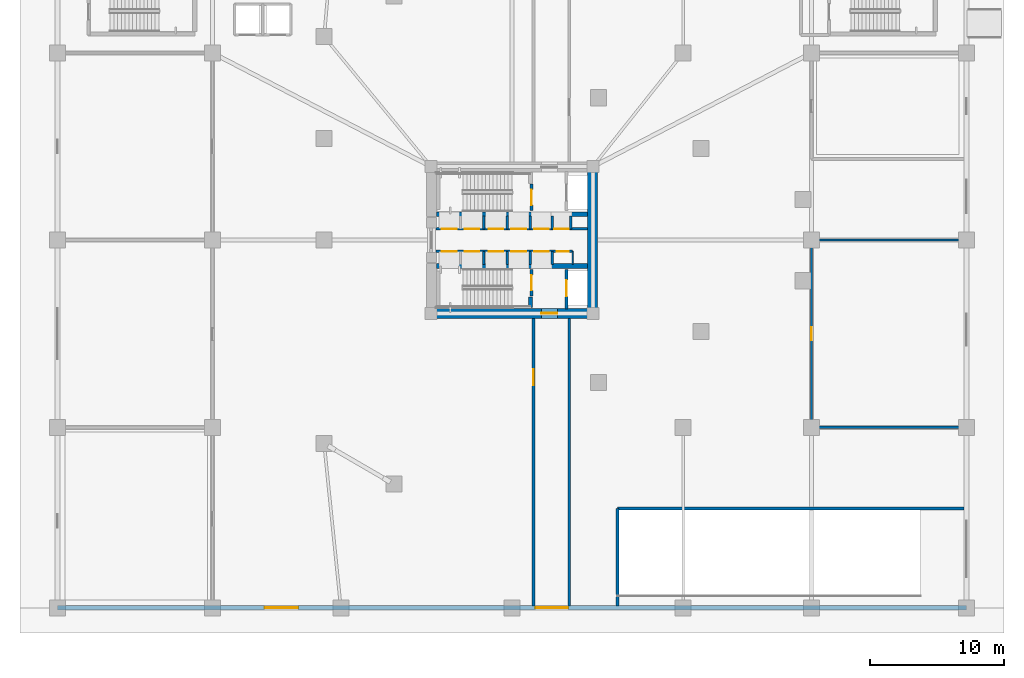
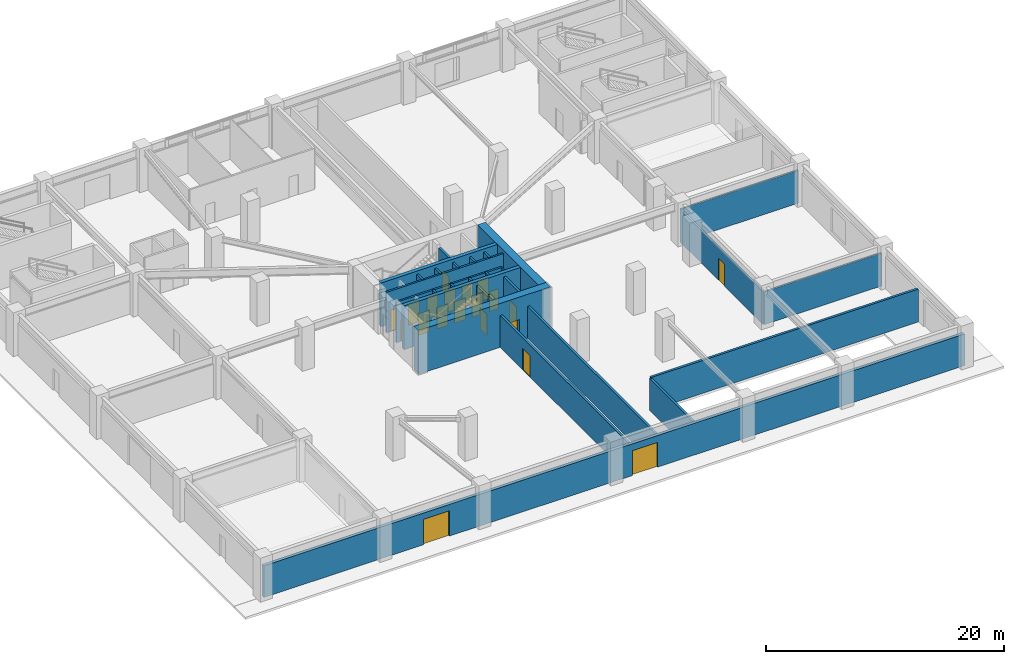
# One storey, part 5 of 18: 28 walls, 20 doors, 20 openings.
"""IFC4 building model written with IfcOpenShell, lengths in metres."""

from ifc_helpers import new_model, si_unit, direction, frame, frame_2d, origin, place, context, subcontext, project, spatial, rectangle, extrude, material, layer, layer_set, type_object, element, fill, save


model = new_model("IFC4")

# Units and contexts
model_context = context("Model", 3, precision=1e-05, world=origin(), true_north=direction((0.0, 1.0)))
body_context = subcontext(model_context, "Body", "Model", "MODEL_VIEW")
ifc_project = project(units=[si_unit("LENGTHUNIT", "METRE"), si_unit("AREAUNIT", "SQUARE_METRE"), si_unit("VOLUMEUNIT", "CUBIC_METRE"), si_unit("PLANEANGLEUNIT", "RADIAN"), si_unit("MASSUNIT", "GRAM", prefix="KILO")], contexts=[model_context])

# Site, building, storey
site_placement = place(None, origin())
site = spatial("IfcSite", under=ifc_project, at=site_placement, CompositionType="ELEMENT")
building_placement = place(site_placement, origin())
building = spatial("IfcBuilding", under=site, at=building_placement, Name="Yunling Apex Tower", CompositionType="ELEMENT")
storey_placement = place(building_placement, origin())
storey = spatial("IfcBuildingStorey", under=building, at=storey_placement, Name="L01", CompositionType="ELEMENT", Elevation=0.0)

# Wall, opening, door
ifc_material_1 = material(Name="Concrete C60", Category="concrete")
ifc_layer_1 = layer(ifc_material_1, 0.75)
ifc_layer_set_1 = layer_set([ifc_layer_1], Name="Concrete C60")
wall_type_1 = type_object("IfcWallType", Name="WL-COR-1", PredefinedType="SHEAR", material=ifc_layer_set_1)
wall_1_placement = place(storey_placement, frame((-6.39990234375, -5.47509765625, 0.0), z_axis=(0.0, 0.0, 1.0), x_axis=(1.0, 0.0, 0.0)))
wall_1 = element("IfcWall", 1, at=wall_1_placement, inside=storey, type_object=wall_type_1, Name="L01 South Core Shear Wall", PredefinedType="SHEAR", context=body_context, shape_type="SweptSolid", body=[
    extrude(rectangle(XDim=12.7998046875, YDim=0.75, at=frame_2d((6.39990234375, 0.0))), origin(), (0.0, 0.0, 1.0), 4.5),
])
opening_1_placement = place(wall_1_placement, frame((8.60009765625, 0.0, 0.0)))
opening_1 = element("IfcOpeningElement", 2, at=opening_1_placement, cuts=wall_1, Name="Opening DR-FFL-1", PredefinedType="OPENING", context=body_context, shape_type="SweptSolid", body=[
    extrude(rectangle(XDim=1.199951171875, YDim=2.199951171875, at=frame_2d((0.60009765625, 1.10009765625))), frame((0.0, 0.385009765625, 0.0), z_axis=(0.0, -1.0, 0.0), x_axis=(1.0, 0.0, 0.0)), (0.0, 0.0, 1.0), 0.77001953125),
])
ifc_material_2 = material(Name="Steel Q355B", Category="steel")
door_type_1 = type_object("IfcDoorType", Name="DR-FFL-1", OperationType="NOTDEFINED", PredefinedType="DOOR", material=ifc_material_2)
door_1_placement = place(opening_1_placement, origin())
door_1 = element("IfcDoor", 3, at=door_1_placement, inside=storey, type_object=door_type_1, Name="L01 South Firefighting Lobby Door", OperationType="SINGLE_SWING_RIGHT", OverallHeight=2.199951171875, OverallWidth=1.199951171875, PredefinedType="DOOR", context=body_context, shape_type="SweptSolid", body=[
    extrude(rectangle(XDim=1.199951171875, YDim=2.199951171875, at=frame_2d((0.60009765625, 1.10009765625))), frame((0.0, 0.02490234375, 0.0), z_axis=(0.0, -1.0, 0.0), x_axis=(1.0, 0.0, 0.0)), (0.0, 0.0, 1.0), 0.050048828125),
])
fill(opening_1, door_1)

# Walls
wall_2_placement = place(storey_placement, frame((6.02490234375, -5.10009765625, 0.0), z_axis=(0.0, 0.0, 1.0), x_axis=(0.0, 1.0, 0.0)))
element("IfcWall", 4, at=wall_2_placement, inside=storey, type_object=wall_type_1, Name="L01 East Core Shear Wall", PredefinedType="SHEAR", context=body_context, shape_type="SweptSolid", body=[
    extrude(rectangle(XDim=10.2001953125, YDim=0.75, at=frame_2d((5.10009765625, 0.0))), origin(), (0.0, 0.0, 1.0), 4.5),
])
ifc_material_3 = material(Name="Concrete C40", Category="concrete")
ifc_layer_2 = layer(ifc_material_3, 0.360107421875)
ifc_layer_set_2 = layer_set([ifc_layer_2], Name="Concrete C40")
wall_type_2 = type_object("IfcWallType", Name="WL-COR-4", PredefinedType="SHEAR", material=ifc_layer_set_2)
for number, where, z_axis, x_axis, name in (
    (5, (-5.64990234375, 1.93994140625, 0.0), (0.0, 0.0, 1.0), (1.0, 0.0, 0.0), "L01 North Internal Core Shear Wall"),
    (6, (-5.64990234375, -1.93994140625, 0.0), (0.0, 0.0, 1.0), (1.0, 0.0, 0.0), "L01 South Internal Core Shear Wall"),
):
    element("IfcWall", number, at=place(storey_placement, frame(where, z_axis=z_axis, x_axis=x_axis)), inside=storey, type_object=wall_type_2, Name=name, PredefinedType="SHEAR", context=body_context, shape_type="SweptSolid", body=[
        extrude(rectangle(XDim=11.2998046875, YDim=0.360107421875, at=frame_2d((5.64990234375, 0.0))), origin(), (0.0, 0.0, 1.0), 4.5),
    ])
ifc_layer_3 = layer(ifc_material_3, 0.280029296875)
ifc_layer_set_3 = layer_set([ifc_layer_3], Name="Concrete C40")
wall_type_3 = type_object("IfcWallType", Name="WL-COR-8", PredefinedType="SHEAR", material=ifc_layer_set_3)
wall_3_placement = place(storey_placement, frame((1.3798828125, -5.050048828125, 0.0), z_axis=(0.0, 0.0, 1.0), x_axis=(0.0, 1.0, 0.0)))
element("IfcWall", 7, at=wall_3_placement, inside=storey, type_object=wall_type_3, Name="L01 ST-2 East Landing Bearing Pier", PredefinedType="SHEAR", context=body_context, shape_type="SweptSolid", body=[
    extrude(rectangle(XDim=0.800048828125, YDim=0.280029296875, at=frame_2d((0.39990234375, 0.0))), origin(), (0.0, 0.0, 1.0), 4.5),
])

# Wall, openings, doors
ifc_material_4 = material(Name="Precast concrete C40", Category="concrete")
ifc_layer_4 = layer(ifc_material_4, 0.320068359375)
ifc_layer_set_4 = layer_set([ifc_layer_4], Name="Precast concrete C40")
wall_type_4 = type_object("IfcWallType", Name="WL-EXT-1", PredefinedType="SOLIDWALL", material=ifc_layer_set_4)
wall_4_placement = place(storey_placement, frame((34.0, -27.5, 0.0), z_axis=(0.0, 0.0, 1.0), x_axis=(-1.0, 0.0, 0.0)))
wall_4 = element("IfcWall", 8, at=wall_4_placement, inside=storey, type_object=wall_type_4, Name="WL-POD-L01-S", PredefinedType="SOLIDWALL", context=body_context, shape_type="SweptSolid", body=[
    extrude(rectangle(XDim=68.0, YDim=0.320068359375, at=frame_2d((34.0, 0.0))), origin(), (0.0, 0.0, 1.0), 3.25),
])
opening_2_placement = place(wall_4_placement, frame((29.800048828125, 0.0, 0.0)))
opening_2 = element("IfcOpeningElement", 9, at=opening_2_placement, cuts=wall_4, Name="Opening DR-EX-2", PredefinedType="OPENING", context=body_context, shape_type="SweptSolid", body=[
    extrude(rectangle(XDim=2.449951171875, YDim=2.550048828125, at=frame_2d((1.22509765625, 1.27490234375))), frame((0.0, 0.169921875, 0.0), z_axis=(0.0, -1.0, 0.0), x_axis=(1.0, 0.0, 0.0)), (0.0, 0.0, 1.0), 0.340087890625),
])
opening_3_placement = place(wall_4_placement, frame((50.0, 0.0, 0.0)))
opening_3 = element("IfcOpeningElement", 10, at=opening_3_placement, cuts=wall_4, Name="Opening DR-EX-1", PredefinedType="OPENING", context=body_context, shape_type="SweptSolid", body=[
    extrude(rectangle(XDim=2.5, YDim=2.60009765625, at=frame_2d((1.25, 1.300048828125))), frame((0.0, 0.169921875, 0.0), z_axis=(0.0, -1.0, 0.0), x_axis=(1.0, 0.0, 0.0)), (0.0, 0.0, 1.0), 0.340087890625),
])
ifc_material_5 = material(Name="Bronze anodised aluminium", Category="aluminium")
door_type_2 = type_object("IfcDoorType", Name="DR-EX-1", OperationType="NOTDEFINED", PredefinedType="DOOR", material=ifc_material_5)
door_2_placement = place(opening_3_placement, origin())
door_2 = element("IfcDoor", 11, at=door_2_placement, inside=storey, type_object=door_type_2, Name="EX-04 South Concourse Exit Door", OperationType="DOUBLE_DOOR_SINGLE_SWING", OverallHeight=2.60009765625, OverallWidth=2.5, PredefinedType="DOOR", context=body_context, shape_type="SweptSolid", body=[
    extrude(rectangle(XDim=2.5, YDim=2.60009765625, at=frame_2d((1.25, 1.300048828125))), frame((0.0, 0.02490234375, 0.0), z_axis=(0.0, -1.0, 0.0), x_axis=(1.0, 0.0, 0.0)), (0.0, 0.0, 1.0), 0.050048828125),
])
fill(opening_3, door_2)
door_type_3 = type_object("IfcDoorType", Name="DR-EX-2", OperationType="NOTDEFINED", PredefinedType="DOOR", material=ifc_material_2)
door_3_placement = place(opening_2_placement, origin())
door_3 = element("IfcDoor", 12, at=door_3_placement, inside=storey, type_object=door_type_3, Name="EX-02 South Protected Stair Exit Door", OperationType="DOUBLE_DOOR_SINGLE_SWING", OverallHeight=2.550048828125, OverallWidth=2.449951171875, PredefinedType="DOOR", context=body_context, shape_type="SweptSolid", body=[
    extrude(rectangle(XDim=2.449951171875, YDim=2.550048828125, at=frame_2d((1.22509765625, 1.27490234375))), frame((0.0, 0.02490234375, 0.0), z_axis=(0.0, -1.0, 0.0), x_axis=(1.0, 0.0, 0.0)), (0.0, 0.0, 1.0), 0.050048828125),
])
fill(opening_2, door_3)

# Wall, opening, door
ifc_material_6 = material(Name="Gypsum board acoustic partition")
ifc_layer_5 = layer(ifc_material_6, 0.159912109375)
ifc_layer_set_5 = layer_set([ifc_layer_5], Name="Gypsum board acoustic partition")
wall_type_5 = type_object("IfcWallType", Name="WL-PRT-1", PredefinedType="PARTITIONING", material=ifc_layer_set_5)
wall_5_placement = place(storey_placement, frame((22.39990234375, -14.0, 0.0), z_axis=(0.0, 0.0, 1.0), x_axis=(0.0, 1.0, 0.0)))
wall_5 = element("IfcWall", 13, at=wall_5_placement, inside=storey, type_object=wall_type_5, Name="WL-L01-CAFW", PredefinedType="PARTITIONING", context=body_context, shape_type="SweptSolid", body=[
    extrude(rectangle(XDim=14.0, YDim=0.159912109375, at=frame_2d((7.0, 0.0))), origin(), (0.0, 0.0, 1.0), 3.375),
])
opening_4_placement = place(wall_5_placement, frame((6.5, 0.0, 0.0)))
opening_4 = element("IfcOpeningElement", 14, at=opening_4_placement, cuts=wall_5, Name="Opening DR-OFF-1", PredefinedType="OPENING", context=body_context, shape_type="SweptSolid", body=[
    extrude(rectangle(XDim=1.0, YDim=2.25, at=frame_2d((0.5, 1.125))), frame((0.0, 0.08984375, 0.0), z_axis=(0.0, -1.0, 0.0), x_axis=(1.0, 0.0, 0.0)), (0.0, 0.0, 1.0), 0.179931640625),
])
door_type_4 = type_object("IfcDoorType", Name="DR-OFF-1", OperationType="NOTDEFINED", PredefinedType="DOOR", material=ifc_material_5)
door_4_placement = place(opening_4_placement, origin())
door_4 = element("IfcDoor", 15, at=door_4_placement, inside=storey, type_object=door_type_4, Name="L01 Podium Cafe Door", OperationType="SINGLE_SWING_LEFT", OverallHeight=2.25, OverallWidth=1.0, PredefinedType="DOOR", context=body_context, shape_type="SweptSolid", body=[
    extrude(rectangle(XDim=1.0, YDim=2.25, at=frame_2d((0.5, 1.125))), frame((0.0, 0.02490234375, 0.0), z_axis=(0.0, -1.0, 0.0), x_axis=(1.0, 0.0, 0.0)), (0.0, 0.0, 1.0), 0.050048828125),
])
fill(opening_4, door_4)

# Walls
for number, where, z_axis, x_axis, name in (
    (16, (22.39990234375, 0.0, 0.0), (0.0, 0.0, 1.0), (1.0, 0.0, 0.0), "WL-L01-CAFN"),
    (17, (22.39990234375, -14.0, 0.0), (0.0, 0.0, 1.0), (1.0, 0.0, 0.0), "WL-L01-CAFS"),
):
    element("IfcWall", number, at=place(storey_placement, frame(where, z_axis=z_axis, x_axis=x_axis)), inside=storey, type_object=wall_type_5, Name=name, PredefinedType="PARTITIONING", context=body_context, shape_type="SweptSolid", body=[
        extrude(rectangle(XDim=11.400146484375, YDim=0.159912109375, at=frame_2d((5.7001953125, 0.0))), origin(), (0.0, 0.0, 1.0), 3.375),
    ])
ifc_layer_6 = layer(ifc_material_6, 0.10009765625)
ifc_layer_set_6 = layer_set([ifc_layer_6], Name="Gypsum board acoustic partition")
wall_type_6 = type_object("IfcWallType", Name="WL-PRT-4", PredefinedType="PARTITIONING", material=ifc_layer_set_6)
wall_6_placement = place(storey_placement, frame((4.5400390625, -1.820068359375, 0.0), z_axis=(0.0, 0.0, 1.0), x_axis=(0.0, 1.0, 0.0)))
element("IfcWall", 18, at=wall_6_placement, inside=storey, type_object=wall_type_6, Name="WL-KASE-E-L01", PredefinedType="PARTITIONING", context=body_context, shape_type="SweptSolid", body=[
    extrude(rectangle(XDim=0.97998046875, YDim=0.10009765625, at=frame_2d((0.489990234375, 0.0))), origin(), (0.0, 0.0, 1.0), 4.169921875),
])

# Wall, opening, door
ifc_material_7 = material(Name="Autoclaved aerated concrete masonry", Category="masonry")
ifc_layer_7 = layer(ifc_material_7, 0.219970703125)
ifc_layer_set_7 = layer_set([ifc_layer_7], Name="Autoclaved aerated concrete masonry")
wall_type_7 = type_object("IfcWallType", Name="WL-SHF-1", PredefinedType="PLUMBINGWALL", material=ifc_layer_set_7)
wall_7_placement = place(storey_placement, frame((1.449951171875, 2.199951171875, 0.0), z_axis=(0.0, 0.0, 1.0), x_axis=(0.0, 1.0, 0.0)))
wall_7 = element("IfcWall", 19, at=wall_7_placement, inside=storey, type_object=wall_type_7, Name="WL-ST1-E-L01", PredefinedType="PLUMBINGWALL", context=body_context, shape_type="SweptSolid", body=[
    extrude(rectangle(XDim=1.97998046875, YDim=0.219970703125, at=frame_2d((0.989990234375, 0.0))), origin(), (0.0, 0.0, 1.0), 4.169921875),
])
opening_5_placement = place(wall_7_placement, frame((0.419921875, 0.0, 0.0)))
opening_5 = element("IfcOpeningElement", 20, at=opening_5_placement, cuts=wall_7, Name="Opening DR-ST-1", PredefinedType="OPENING", context=body_context, shape_type="SweptSolid", body=[
    extrude(rectangle(XDim=1.14990234375, YDim=2.14990234375, at=frame_2d((0.574951171875, 1.074951171875))), frame((0.0, 0.1201171875, 0.0), z_axis=(0.0, -1.0, 0.0), x_axis=(1.0, 0.0, 0.0)), (0.0, 0.0, 1.0), 0.239990234375),
])
door_type_5 = type_object("IfcDoorType", Name="DR-ST-1", OperationType="NOTDEFINED", PredefinedType="DOOR", material=ifc_material_2)
door_5_placement = place(opening_5_placement, origin())
door_5 = element("IfcDoor", 21, at=door_5_placement, inside=storey, type_object=door_type_5, Name="L01 Stair ST-1 Fire Door", OperationType="SINGLE_SWING_RIGHT", OverallHeight=2.14990234375, OverallWidth=1.14990234375, PredefinedType="DOOR", context=body_context, shape_type="SweptSolid", body=[
    extrude(rectangle(XDim=1.14990234375, YDim=2.14990234375, at=frame_2d((0.574951171875, 1.074951171875))), frame((0.0, 0.02490234375, 0.0), z_axis=(0.0, -1.0, 0.0), x_axis=(1.0, 0.0, 0.0)), (0.0, 0.0, 1.0), 0.050048828125),
])
fill(opening_5, door_5)

wall_8_placement = place(storey_placement, frame((1.449951171875, -4.179931640625, 0.0), z_axis=(0.0, 0.0, 1.0), x_axis=(0.0, 1.0, 0.0)))
wall_8 = element("IfcWall", 22, at=wall_8_placement, inside=storey, type_object=wall_type_7, Name="WL-ST2-E-L01", PredefinedType="PLUMBINGWALL", context=body_context, shape_type="SweptSolid", body=[
    extrude(rectangle(XDim=1.97998046875, YDim=0.219970703125, at=frame_2d((0.989990234375, 0.0))), origin(), (0.0, 0.0, 1.0), 4.169921875),
])
opening_6_placement = place(wall_8_placement, frame((0.419921875, 0.0, 0.0)))
opening_6 = element("IfcOpeningElement", 23, at=opening_6_placement, cuts=wall_8, Name="Opening DR-ST-1", PredefinedType="OPENING", context=body_context, shape_type="SweptSolid", body=[
    extrude(rectangle(XDim=1.14990234375, YDim=2.14990234375, at=frame_2d((0.574951171875, 1.074951171875))), frame((0.0, 0.1201171875, 0.0), z_axis=(0.0, -1.0, 0.0), x_axis=(1.0, 0.0, 0.0)), (0.0, 0.0, 1.0), 0.239990234375),
])
door_6_placement = place(opening_6_placement, origin())
door_6 = element("IfcDoor", 24, at=door_6_placement, inside=storey, type_object=door_type_5, Name="L01 Stair ST-2 Fire Door", OperationType="SINGLE_SWING_LEFT", OverallHeight=2.14990234375, OverallWidth=1.14990234375, PredefinedType="DOOR", context=body_context, shape_type="SweptSolid", body=[
    extrude(rectangle(XDim=1.14990234375, YDim=2.14990234375, at=frame_2d((0.574951171875, 1.074951171875))), frame((0.0, 0.02490234375, 0.0), z_axis=(0.0, -1.0, 0.0), x_axis=(1.0, 0.0, 0.0)), (0.0, 0.0, 1.0), 0.050048828125),
])
fill(opening_6, door_6)

wall_9_placement = place(storey_placement, frame((4.080078125, -5.14990234375, 0.0), z_axis=(0.0, 0.0, 1.0), x_axis=(0.0, 1.0, 0.0)))
wall_9 = element("IfcWall", 25, at=wall_9_placement, inside=storey, type_object=wall_type_7, Name="WL-FFL2-W-L01", PredefinedType="PLUMBINGWALL", context=body_context, shape_type="SweptSolid", body=[
    extrude(rectangle(XDim=2.949951171875, YDim=0.219970703125, at=frame_2d((1.47509765625, 0.0))), origin(), (0.0, 0.0, 1.0), 4.169921875),
])
opening_7_placement = place(wall_9_placement, frame((0.949951171875, 0.0, 0.0)))
opening_7 = element("IfcOpeningElement", 26, at=opening_7_placement, cuts=wall_9, Name="Opening LD-FFL-1", PredefinedType="OPENING", context=body_context, shape_type="SweptSolid", body=[
    extrude(rectangle(XDim=1.199951171875, YDim=2.25, at=frame_2d((0.60009765625, 1.125))), frame((0.0, 0.1201171875, 0.0), z_axis=(0.0, -1.0, 0.0), x_axis=(1.0, 0.0, 0.0)), (0.0, 0.0, 1.0), 0.239990234375),
])
door_type_6 = type_object("IfcDoorType", Name="LD-FFL-1", OperationType="DOUBLE_DOOR_SLIDING", PredefinedType="DOOR", material=ifc_material_2)
door_7_placement = place(opening_7_placement, origin())
door_7 = element("IfcDoor", 27, at=door_7_placement, inside=storey, type_object=door_type_6, Name="L01 Lift FFL-2 Landing Door", OperationType="DOUBLE_DOOR_SLIDING", OverallHeight=2.25, OverallWidth=1.199951171875, PredefinedType="DOOR", context=body_context, shape_type="SweptSolid", body=[
    extrude(rectangle(XDim=1.199951171875, YDim=2.25, at=frame_2d((0.60009765625, 1.125))), frame((0.0, 0.02490234375, 0.0), z_axis=(0.0, -1.0, 0.0), x_axis=(1.0, 0.0, 0.0)), (0.0, 0.0, 1.0), 0.050048828125),
])
fill(opening_7, door_7)

wall_10_placement = place(storey_placement, frame((1.6201171875, -27.35009765625, 0.0), z_axis=(0.0, 0.0, 1.0), x_axis=(0.0, 1.0, 0.0)))
wall_10 = element("IfcWall", 28, at=wall_10_placement, inside=storey, type_object=wall_type_7, Name="WL-EXPS-W", PredefinedType="PLUMBINGWALL", context=body_context, shape_type="SweptSolid", body=[
    extrude(rectangle(XDim=21.5, YDim=0.219970703125, at=frame_2d((10.75, 0.0))), origin(), (0.0, 0.0, 1.0), 3.27490234375),
])
opening_8_placement = place(wall_10_placement, frame((16.5, 0.0, 0.0)))
opening_8 = element("IfcOpeningElement", 29, at=opening_8_placement, cuts=wall_10, Name="Opening DR-FFL-1", PredefinedType="OPENING", context=body_context, shape_type="SweptSolid", body=[
    extrude(rectangle(XDim=1.199951171875, YDim=2.199951171875, at=frame_2d((0.60009765625, 1.10009765625))), frame((0.0, 0.1201171875, 0.0), z_axis=(0.0, -1.0, 0.0), x_axis=(1.0, 0.0, 0.0)), (0.0, 0.0, 1.0), 0.239990234375),
])
door_8_placement = place(opening_8_placement, origin())
door_8 = element("IfcDoor", 30, at=door_8_placement, inside=storey, type_object=door_type_1, Name="L01 South Hall to Exit Passage Fire Door", OperationType="SINGLE_SWING_LEFT", OverallHeight=2.199951171875, OverallWidth=1.199951171875, PredefinedType="DOOR", context=body_context, shape_type="SweptSolid", body=[
    extrude(rectangle(XDim=1.199951171875, YDim=2.199951171875, at=frame_2d((0.60009765625, 1.10009765625))), frame((0.0, 0.02490234375, 0.0), z_axis=(0.0, -1.0, 0.0), x_axis=(1.0, 0.0, 0.0)), (0.0, 0.0, 1.0), 0.050048828125),
])
fill(opening_8, door_8)

# Walls
wall_11_placement = place(storey_placement, frame((4.280029296875, -27.35009765625, 0.0), z_axis=(0.0, 0.0, 1.0), x_axis=(0.0, 1.0, 0.0)))
element("IfcWall", 31, at=wall_11_placement, inside=storey, type_object=wall_type_7, Name="WL-EXPS-E", PredefinedType="PLUMBINGWALL", context=body_context, shape_type="SweptSolid", body=[
    extrude(rectangle(XDim=21.5, YDim=0.219970703125, at=frame_2d((10.75, 0.0))), origin(), (0.0, 0.0, 1.0), 3.27490234375),
])
wall_12_placement = place(storey_placement, frame((7.8798828125, -20.080078125, 0.0), z_axis=(0.0, 0.0, 1.0), x_axis=(1.0, 0.0, 0.0)))
element("IfcWall", 32, at=wall_12_placement, inside=storey, type_object=wall_type_7, Name="WL-L01-RMPN", PredefinedType="PLUMBINGWALL", context=body_context, shape_type="SweptSolid", body=[
    extrude(rectangle(XDim=25.920166015625, YDim=0.219970703125, at=frame_2d((12.9599609375, 0.0))), origin(), (0.0, 0.0, 1.0), 3.375),
])
wall_13_placement = place(storey_placement, frame((7.8798828125, -27.35009765625, 0.0), z_axis=(0.0, 0.0, 1.0), x_axis=(0.0, 1.0, 0.0)))
element("IfcWall", 33, at=wall_13_placement, inside=storey, type_object=wall_type_7, Name="WL-L01-RMPW", PredefinedType="PLUMBINGWALL", context=body_context, shape_type="SweptSolid", body=[
    extrude(rectangle(XDim=7.27001953125, YDim=0.219970703125, at=frame_2d((3.635009765625, 0.0))), origin(), (0.0, 0.0, 1.0), 3.27490234375),
])
ifc_layer_8 = layer(ifc_material_7, 0.179931640625)
ifc_layer_set_8 = layer_set([ifc_layer_8], Name="Autoclaved aerated concrete masonry")
wall_type_8 = type_object("IfcWallType", Name="WL-SHF-2", PredefinedType="PLUMBINGWALL", material=ifc_layer_set_8)
for number, where, z_axis, x_axis, name in (
    (34, (-2.10009765625, 0.840087890625, 0.0), (0.0, 0.0, 1.0), (0.0, 1.0, 0.0), "WL-BNK-LM-N-L01"),
    (35, (-2.10009765625, -1.820068359375, 0.0), (0.0, 0.0, 1.0), (0.0, 1.0, 0.0), "WL-BNK-LM-S-L01"),
    (36, (-0.35009765625, 0.840087890625, 0.0), (0.0, 0.0, 1.0), (0.0, 1.0, 0.0), "WL-DIV-M12-L01"),
    (37, (-0.35009765625, -1.820068359375, 0.0), (0.0, 0.0, 1.0), (0.0, 1.0, 0.0), "WL-DIV-M34-L01"),
    (38, (1.3798828125, 0.840087890625, 0.0), (0.0, 0.0, 1.0), (0.0, 1.0, 0.0), "WL-BNK-MH-N-L01"),
    (39, (1.3798828125, -1.820068359375, 0.0), (0.0, 0.0, 1.0), (0.0, 1.0, 0.0), "WL-BNK-MH-S-L01"),
    (40, (3.02001953125, 0.840087890625, 0.0), (0.0, 0.0, 1.0), (0.0, 1.0, 0.0), "WL-DIV-H13-L01"),
    (41, (4.3798828125, 0.840087890625, 0.0), (0.0, 0.0, 1.0), (0.0, 1.0, 0.0), "WL-END-H3E-L01"),
    (42, (3.02001953125, -1.820068359375, 0.0), (0.0, 0.0, 1.0), (0.0, 1.0, 0.0), "WL-END-H2E-L01"),
):
    element("IfcWall", number, at=place(storey_placement, frame(where, z_axis=z_axis, x_axis=x_axis)), inside=storey, type_object=wall_type_8, Name=name, PredefinedType="PLUMBINGWALL", context=body_context, shape_type="SweptSolid", body=[
        extrude(rectangle(XDim=0.97998046875, YDim=0.179931640625, at=frame_2d((0.489990234375, 0.0))), origin(), (0.0, 0.0, 1.0), 4.169921875),
    ])

# Wall, openings, doors
wall_14_placement = place(storey_placement, frame((-5.679931640625, 0.840087890625, 0.0), z_axis=(0.0, 0.0, 1.0), x_axis=(1.0, 0.0, 0.0)))
wall_14 = element("IfcWall", 43, at=wall_14_placement, inside=storey, type_object=wall_type_8, Name="WL-LOB-N-L01", PredefinedType="PLUMBINGWALL", context=body_context, shape_type="SweptSolid", body=[
    extrude(rectangle(XDim=11.329833984375, YDim=0.179931640625, at=frame_2d((5.6650390625, 0.0))), origin(), (0.0, 0.0, 1.0), 4.169921875),
])
opening_9_placement = place(wall_14_placement, frame((0.429931640625, 0.0, 0.0)))
opening_9 = element("IfcOpeningElement", 44, at=opening_9_placement, cuts=wall_14, Name="Opening LD-PAS-1", PredefinedType="OPENING", context=body_context, shape_type="SweptSolid", body=[
    extrude(rectangle(XDim=1.10009765625, YDim=2.199951171875, at=frame_2d((0.550048828125, 1.10009765625))), frame((0.0, 0.10009765625, 0.0), z_axis=(0.0, -1.0, 0.0), x_axis=(1.0, 0.0, 0.0)), (0.0, 0.0, 1.0), 0.199951171875),
])
opening_10_placement = place(wall_14_placement, frame((2.1298828125, 0.0, 0.0)))
opening_10 = element("IfcOpeningElement", 45, at=opening_10_placement, cuts=wall_14, Name="Opening LD-PAS-1", PredefinedType="OPENING", context=body_context, shape_type="SweptSolid", body=[
    extrude(rectangle(XDim=1.10009765625, YDim=2.199951171875, at=frame_2d((0.550048828125, 1.10009765625))), frame((0.0, 0.10009765625, 0.0), z_axis=(0.0, -1.0, 0.0), x_axis=(1.0, 0.0, 0.0)), (0.0, 0.0, 1.0), 0.199951171875),
])
opening_11_placement = place(wall_14_placement, frame((3.929931640625, 0.0, 0.0)))
opening_11 = element("IfcOpeningElement", 46, at=opening_11_placement, cuts=wall_14, Name="Opening LD-PAS-1", PredefinedType="OPENING", context=body_context, shape_type="SweptSolid", body=[
    extrude(rectangle(XDim=1.10009765625, YDim=2.199951171875, at=frame_2d((0.550048828125, 1.10009765625))), frame((0.0, 0.10009765625, 0.0), z_axis=(0.0, -1.0, 0.0), x_axis=(1.0, 0.0, 0.0)), (0.0, 0.0, 1.0), 0.199951171875),
])
opening_12_placement = place(wall_14_placement, frame((5.6298828125, 0.0, 0.0)))
opening_12 = element("IfcOpeningElement", 47, at=opening_12_placement, cuts=wall_14, Name="Opening LD-PAS-1", PredefinedType="OPENING", context=body_context, shape_type="SweptSolid", body=[
    extrude(rectangle(XDim=1.10009765625, YDim=2.199951171875, at=frame_2d((0.550048828125, 1.10009765625))), frame((0.0, 0.10009765625, 0.0), z_axis=(0.0, -1.0, 0.0), x_axis=(1.0, 0.0, 0.0)), (0.0, 0.0, 1.0), 0.199951171875),
])
opening_13_placement = place(wall_14_placement, frame((7.330078125, 0.0, 0.0)))
opening_13 = element("IfcOpeningElement", 48, at=opening_13_placement, cuts=wall_14, Name="Opening LD-PAS-1", PredefinedType="OPENING", context=body_context, shape_type="SweptSolid", body=[
    extrude(rectangle(XDim=1.10009765625, YDim=2.199951171875, at=frame_2d((0.550048828125, 1.10009765625))), frame((0.0, 0.10009765625, 0.0), z_axis=(0.0, -1.0, 0.0), x_axis=(1.0, 0.0, 0.0)), (0.0, 0.0, 1.0), 0.199951171875),
])
opening_14_placement = place(wall_14_placement, frame((8.830078125, 0.0, 0.0)))
opening_14 = element("IfcOpeningElement", 49, at=opening_14_placement, cuts=wall_14, Name="Opening LD-PAS-1", PredefinedType="OPENING", context=body_context, shape_type="SweptSolid", body=[
    extrude(rectangle(XDim=1.10009765625, YDim=2.199951171875, at=frame_2d((0.550048828125, 1.10009765625))), frame((0.0, 0.10009765625, 0.0), z_axis=(0.0, -1.0, 0.0), x_axis=(1.0, 0.0, 0.0)), (0.0, 0.0, 1.0), 0.199951171875),
])
ifc_material_8 = material(Name="Silver anodised aluminium", Category="aluminium")
door_type_7 = type_object("IfcDoorType", Name="LD-PAS-1", OperationType="DOUBLE_DOOR_SLIDING", PredefinedType="DOOR", material=ifc_material_8)
door_9_placement = place(opening_9_placement, origin())
door_9 = element("IfcDoor", 50, at=door_9_placement, inside=storey, type_object=door_type_7, Name="L01 Lift PL-L1 Landing Door", OperationType="DOUBLE_DOOR_SLIDING", OverallHeight=2.199951171875, OverallWidth=1.10009765625, PredefinedType="DOOR", context=body_context, shape_type="SweptSolid", body=[
    extrude(rectangle(XDim=1.10009765625, YDim=2.199951171875, at=frame_2d((0.550048828125, 1.10009765625))), frame((0.0, 0.02490234375, 0.0), z_axis=(0.0, -1.0, 0.0), x_axis=(1.0, 0.0, 0.0)), (0.0, 0.0, 1.0), 0.050048828125),
])
fill(opening_9, door_9)
door_10_placement = place(opening_10_placement, origin())
door_10 = element("IfcDoor", 51, at=door_10_placement, inside=storey, type_object=door_type_7, Name="L01 Lift PL-L2 Landing Door", OperationType="DOUBLE_DOOR_SLIDING", OverallHeight=2.199951171875, OverallWidth=1.10009765625, PredefinedType="DOOR", context=body_context, shape_type="SweptSolid", body=[
    extrude(rectangle(XDim=1.10009765625, YDim=2.199951171875, at=frame_2d((0.550048828125, 1.10009765625))), frame((0.0, 0.02490234375, 0.0), z_axis=(0.0, -1.0, 0.0), x_axis=(1.0, 0.0, 0.0)), (0.0, 0.0, 1.0), 0.050048828125),
])
fill(opening_10, door_10)
door_11_placement = place(opening_11_placement, origin())
door_11 = element("IfcDoor", 52, at=door_11_placement, inside=storey, type_object=door_type_7, Name="L01 Lift PL-M1 Landing Door", OperationType="DOUBLE_DOOR_SLIDING", OverallHeight=2.199951171875, OverallWidth=1.10009765625, PredefinedType="DOOR", context=body_context, shape_type="SweptSolid", body=[
    extrude(rectangle(XDim=1.10009765625, YDim=2.199951171875, at=frame_2d((0.550048828125, 1.10009765625))), frame((0.0, 0.02490234375, 0.0), z_axis=(0.0, -1.0, 0.0), x_axis=(1.0, 0.0, 0.0)), (0.0, 0.0, 1.0), 0.050048828125),
])
fill(opening_11, door_11)
door_12_placement = place(opening_12_placement, origin())
door_12 = element("IfcDoor", 53, at=door_12_placement, inside=storey, type_object=door_type_7, Name="L01 Lift PL-M2 Landing Door", OperationType="DOUBLE_DOOR_SLIDING", OverallHeight=2.199951171875, OverallWidth=1.10009765625, PredefinedType="DOOR", context=body_context, shape_type="SweptSolid", body=[
    extrude(rectangle(XDim=1.10009765625, YDim=2.199951171875, at=frame_2d((0.550048828125, 1.10009765625))), frame((0.0, 0.02490234375, 0.0), z_axis=(0.0, -1.0, 0.0), x_axis=(1.0, 0.0, 0.0)), (0.0, 0.0, 1.0), 0.050048828125),
])
fill(opening_12, door_12)
door_13_placement = place(opening_13_placement, origin())
door_13 = element("IfcDoor", 54, at=door_13_placement, inside=storey, type_object=door_type_7, Name="L01 Lift PL-H1 Landing Door", OperationType="DOUBLE_DOOR_SLIDING", OverallHeight=2.199951171875, OverallWidth=1.10009765625, PredefinedType="DOOR", context=body_context, shape_type="SweptSolid", body=[
    extrude(rectangle(XDim=1.10009765625, YDim=2.199951171875, at=frame_2d((0.550048828125, 1.10009765625))), frame((0.0, 0.02490234375, 0.0), z_axis=(0.0, -1.0, 0.0), x_axis=(1.0, 0.0, 0.0)), (0.0, 0.0, 1.0), 0.050048828125),
])
fill(opening_13, door_13)
door_14_placement = place(opening_14_placement, origin())
door_14 = element("IfcDoor", 55, at=door_14_placement, inside=storey, type_object=door_type_7, Name="L01 Lift PL-H3 Landing Door", OperationType="DOUBLE_DOOR_SLIDING", OverallHeight=2.199951171875, OverallWidth=1.10009765625, PredefinedType="DOOR", context=body_context, shape_type="SweptSolid", body=[
    extrude(rectangle(XDim=1.10009765625, YDim=2.199951171875, at=frame_2d((0.550048828125, 1.10009765625))), frame((0.0, 0.02490234375, 0.0), z_axis=(0.0, -1.0, 0.0), x_axis=(1.0, 0.0, 0.0)), (0.0, 0.0, 1.0), 0.050048828125),
])
fill(opening_14, door_14)

wall_15_placement = place(storey_placement, frame((-5.679931640625, -0.840087890625, 0.0), z_axis=(0.0, 0.0, 1.0), x_axis=(1.0, 0.0, 0.0)))
wall_15 = element("IfcWall", 56, at=wall_15_placement, inside=storey, type_object=wall_type_8, Name="WL-LOB-S-L01", PredefinedType="PLUMBINGWALL", context=body_context, shape_type="SweptSolid", body=[
    extrude(rectangle(XDim=10.219970703125, YDim=0.179931640625, at=frame_2d((5.10986328125, 0.0))), origin(), (0.0, 0.0, 1.0), 4.169921875),
])
opening_15_placement = place(wall_15_placement, frame((0.429931640625, 0.0, 0.0)))
opening_15 = element("IfcOpeningElement", 57, at=opening_15_placement, cuts=wall_15, Name="Opening LD-PAS-1", PredefinedType="OPENING", context=body_context, shape_type="SweptSolid", body=[
    extrude(rectangle(XDim=1.10009765625, YDim=2.199951171875, at=frame_2d((0.550048828125, 1.10009765625))), frame((0.0, 0.10009765625, 0.0), z_axis=(0.0, -1.0, 0.0), x_axis=(1.0, 0.0, 0.0)), (0.0, 0.0, 1.0), 0.199951171875),
])
opening_16_placement = place(wall_15_placement, frame((2.1298828125, 0.0, 0.0)))
opening_16 = element("IfcOpeningElement", 58, at=opening_16_placement, cuts=wall_15, Name="Opening LD-PAS-1", PredefinedType="OPENING", context=body_context, shape_type="SweptSolid", body=[
    extrude(rectangle(XDim=1.10009765625, YDim=2.199951171875, at=frame_2d((0.550048828125, 1.10009765625))), frame((0.0, 0.10009765625, 0.0), z_axis=(0.0, -1.0, 0.0), x_axis=(1.0, 0.0, 0.0)), (0.0, 0.0, 1.0), 0.199951171875),
])
opening_17_placement = place(wall_15_placement, frame((3.929931640625, 0.0, 0.0)))
opening_17 = element("IfcOpeningElement", 59, at=opening_17_placement, cuts=wall_15, Name="Opening LD-PAS-1", PredefinedType="OPENING", context=body_context, shape_type="SweptSolid", body=[
    extrude(rectangle(XDim=1.10009765625, YDim=2.199951171875, at=frame_2d((0.550048828125, 1.10009765625))), frame((0.0, 0.10009765625, 0.0), z_axis=(0.0, -1.0, 0.0), x_axis=(1.0, 0.0, 0.0)), (0.0, 0.0, 1.0), 0.199951171875),
])
opening_18_placement = place(wall_15_placement, frame((5.6298828125, 0.0, 0.0)))
opening_18 = element("IfcOpeningElement", 60, at=opening_18_placement, cuts=wall_15, Name="Opening LD-PAS-1", PredefinedType="OPENING", context=body_context, shape_type="SweptSolid", body=[
    extrude(rectangle(XDim=1.10009765625, YDim=2.199951171875, at=frame_2d((0.550048828125, 1.10009765625))), frame((0.0, 0.10009765625, 0.0), z_axis=(0.0, -1.0, 0.0), x_axis=(1.0, 0.0, 0.0)), (0.0, 0.0, 1.0), 0.199951171875),
])
opening_19_placement = place(wall_15_placement, frame((7.330078125, 0.0, 0.0)))
opening_19 = element("IfcOpeningElement", 61, at=opening_19_placement, cuts=wall_15, Name="Opening LD-PAS-1", PredefinedType="OPENING", context=body_context, shape_type="SweptSolid", body=[
    extrude(rectangle(XDim=1.10009765625, YDim=2.199951171875, at=frame_2d((0.550048828125, 1.10009765625))), frame((0.0, 0.10009765625, 0.0), z_axis=(0.0, -1.0, 0.0), x_axis=(1.0, 0.0, 0.0)), (0.0, 0.0, 1.0), 0.199951171875),
])
opening_20_placement = place(wall_15_placement, frame((9.02001953125, 0.0, 0.0)))
opening_20 = element("IfcOpeningElement", 62, at=opening_20_placement, cuts=wall_15, Name="Opening DR-SHF-1", PredefinedType="OPENING", context=body_context, shape_type="SweptSolid", body=[
    extrude(rectangle(XDim=0.89990234375, YDim=2.050048828125, at=frame_2d((0.449951171875, 1.02490234375))), frame((0.0, 0.10009765625, 0.0), z_axis=(0.0, -1.0, 0.0), x_axis=(1.0, 0.0, 0.0)), (0.0, 0.0, 1.0), 0.199951171875),
])
door_type_8 = type_object("IfcDoorType", Name="DR-SHF-1", OperationType="NOTDEFINED", PredefinedType="DOOR", material=ifc_material_2)
door_15_placement = place(opening_20_placement, origin())
door_15 = element("IfcDoor", 63, at=door_15_placement, inside=storey, type_object=door_type_8, Name="L01 Core Electrical Room Door", OperationType="SINGLE_SWING_RIGHT", OverallHeight=2.050048828125, OverallWidth=0.89990234375, PredefinedType="DOOR", context=body_context, shape_type="SweptSolid", body=[
    extrude(rectangle(XDim=0.89990234375, YDim=2.050048828125, at=frame_2d((0.449951171875, 1.02490234375))), frame((0.0, 0.02490234375, 0.0), z_axis=(0.0, -1.0, 0.0), x_axis=(1.0, 0.0, 0.0)), (0.0, 0.0, 1.0), 0.050048828125),
])
fill(opening_20, door_15)
door_16_placement = place(opening_15_placement, origin())
door_16 = element("IfcDoor", 64, at=door_16_placement, inside=storey, type_object=door_type_7, Name="L01 Lift PL-L3 Landing Door", OperationType="DOUBLE_DOOR_SLIDING", OverallHeight=2.199951171875, OverallWidth=1.10009765625, PredefinedType="DOOR", context=body_context, shape_type="SweptSolid", body=[
    extrude(rectangle(XDim=1.10009765625, YDim=2.199951171875, at=frame_2d((0.550048828125, 1.10009765625))), frame((0.0, 0.02490234375, 0.0), z_axis=(0.0, -1.0, 0.0), x_axis=(1.0, 0.0, 0.0)), (0.0, 0.0, 1.0), 0.050048828125),
])
fill(opening_15, door_16)
door_17_placement = place(opening_16_placement, origin())
door_17 = element("IfcDoor", 65, at=door_17_placement, inside=storey, type_object=door_type_7, Name="L01 Lift PL-L4 Landing Door", OperationType="DOUBLE_DOOR_SLIDING", OverallHeight=2.199951171875, OverallWidth=1.10009765625, PredefinedType="DOOR", context=body_context, shape_type="SweptSolid", body=[
    extrude(rectangle(XDim=1.10009765625, YDim=2.199951171875, at=frame_2d((0.550048828125, 1.10009765625))), frame((0.0, 0.02490234375, 0.0), z_axis=(0.0, -1.0, 0.0), x_axis=(1.0, 0.0, 0.0)), (0.0, 0.0, 1.0), 0.050048828125),
])
fill(opening_16, door_17)
door_18_placement = place(opening_17_placement, origin())
door_18 = element("IfcDoor", 66, at=door_18_placement, inside=storey, type_object=door_type_7, Name="L01 Lift PL-M3 Landing Door", OperationType="DOUBLE_DOOR_SLIDING", OverallHeight=2.199951171875, OverallWidth=1.10009765625, PredefinedType="DOOR", context=body_context, shape_type="SweptSolid", body=[
    extrude(rectangle(XDim=1.10009765625, YDim=2.199951171875, at=frame_2d((0.550048828125, 1.10009765625))), frame((0.0, 0.02490234375, 0.0), z_axis=(0.0, -1.0, 0.0), x_axis=(1.0, 0.0, 0.0)), (0.0, 0.0, 1.0), 0.050048828125),
])
fill(opening_17, door_18)
door_19_placement = place(opening_18_placement, origin())
door_19 = element("IfcDoor", 67, at=door_19_placement, inside=storey, type_object=door_type_7, Name="L01 Lift PL-M4 Landing Door", OperationType="DOUBLE_DOOR_SLIDING", OverallHeight=2.199951171875, OverallWidth=1.10009765625, PredefinedType="DOOR", context=body_context, shape_type="SweptSolid", body=[
    extrude(rectangle(XDim=1.10009765625, YDim=2.199951171875, at=frame_2d((0.550048828125, 1.10009765625))), frame((0.0, 0.02490234375, 0.0), z_axis=(0.0, -1.0, 0.0), x_axis=(1.0, 0.0, 0.0)), (0.0, 0.0, 1.0), 0.050048828125),
])
fill(opening_18, door_19)
door_20_placement = place(opening_19_placement, origin())
door_20 = element("IfcDoor", 68, at=door_20_placement, inside=storey, type_object=door_type_7, Name="L01 Lift PL-H2 Landing Door", OperationType="DOUBLE_DOOR_SLIDING", OverallHeight=2.199951171875, OverallWidth=1.10009765625, PredefinedType="DOOR", context=body_context, shape_type="SweptSolid", body=[
    extrude(rectangle(XDim=1.10009765625, YDim=2.199951171875, at=frame_2d((0.550048828125, 1.10009765625))), frame((0.0, 0.02490234375, 0.0), z_axis=(0.0, -1.0, 0.0), x_axis=(1.0, 0.0, 0.0)), (0.0, 0.0, 1.0), 0.050048828125),
])
fill(opening_19, door_20)

save(model, "model.ifc")
